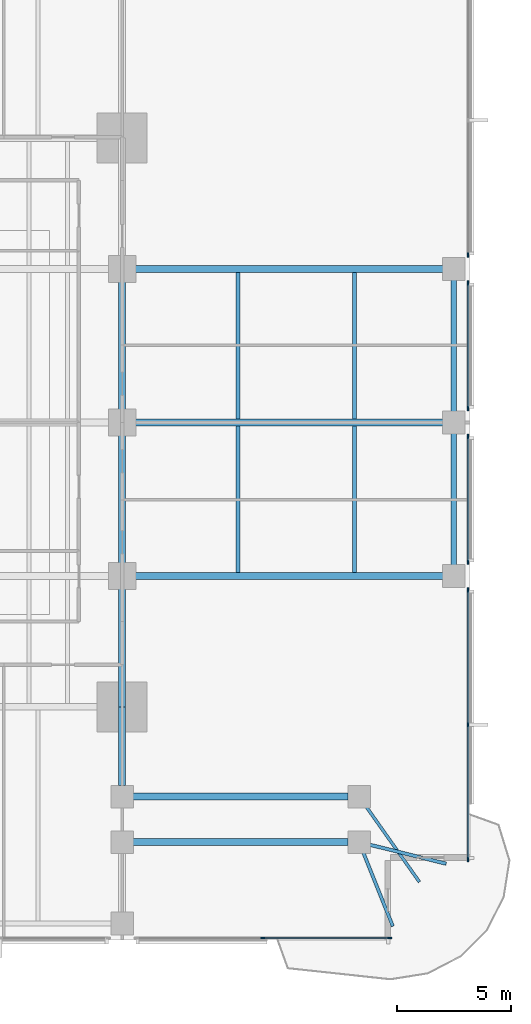
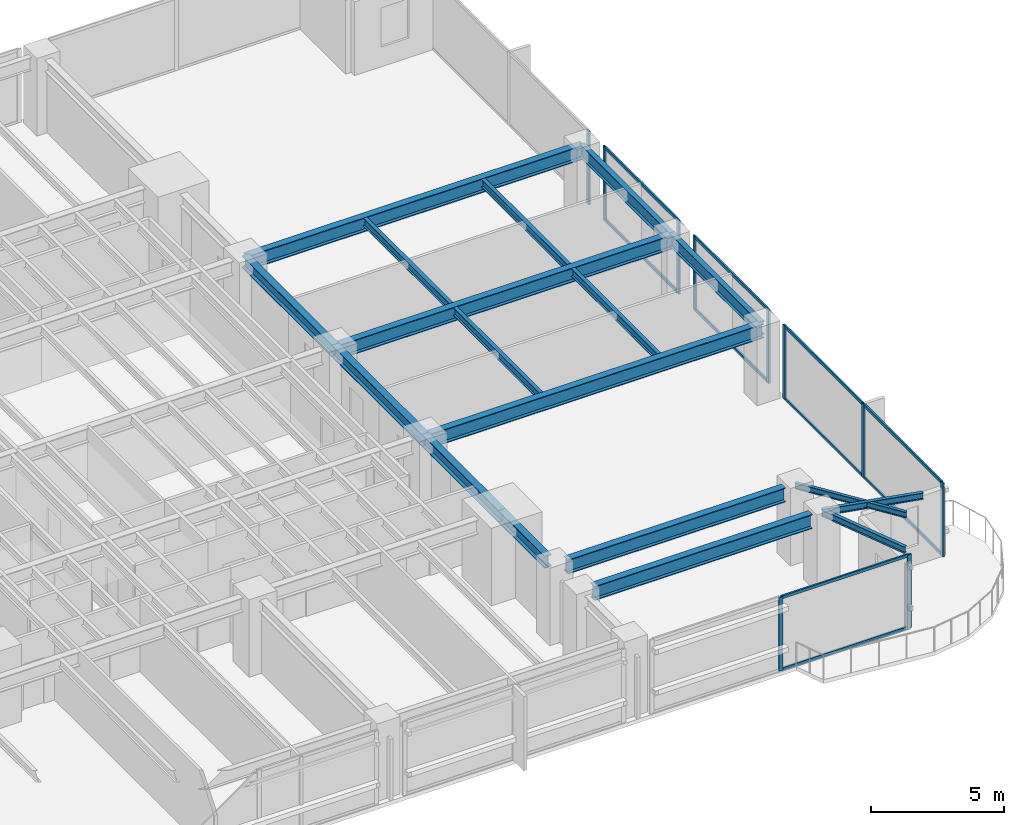
# One storey, part 4 of 15: 20 members, 18 beams, 5 elements without a shape of their own.
"""IFC4 building model written with IfcOpenShell, lengths in metres."""

from ifc_helpers import new_model, si_unit, direction, frame, origin, origin_2d, place, context, subcontext, project, spatial, rectangle, i_section, extrude, material, layer, layer_set, material_profile, profile_set, type_object, element, aggregate, save


model = new_model("IFC4")

# Units and contexts
model_context = context("Model", 3, precision=1e-05, world=origin(), true_north=direction((0.0, 1.0)))
body_context = subcontext(model_context, "Body", "Model", "MODEL_VIEW")
ifc_project = project(units=[si_unit("LENGTHUNIT", "METRE"), si_unit("AREAUNIT", "SQUARE_METRE"), si_unit("VOLUMEUNIT", "CUBIC_METRE"), si_unit("PLANEANGLEUNIT", "RADIAN"), si_unit("MASSUNIT", "GRAM", prefix="KILO")], contexts=[model_context])

# Site, building, storey
site_placement = place(None, origin())
site = spatial("IfcSite", under=ifc_project, at=site_placement, CompositionType="ELEMENT")
building_placement = place(site_placement, origin())
building = spatial("IfcBuilding", under=site, at=building_placement, Name="Kinhvarn Gate Tower", CompositionType="ELEMENT")
storey_placement = place(building_placement, frame((0.0, 0.0, 64.64990234375)))
storey = spatial("IfcBuildingStorey", under=building, at=storey_placement, Name="L16", CompositionType="ELEMENT", Elevation=64.64990234375)

# Curtain wall, members
ifc_material_1 = material(Name="Anodised aluminium AW-6063", Category="aluminium")
ifc_layer = layer(ifc_material_1, 0.179931640625)
ifc_layer_set = layer_set([ifc_layer], Name="Anodised aluminium AW-6063")
curtain_wall_type = type_object("IfcCurtainWallType", Name="CW-SYS-2", PredefinedType="NOTDEFINED", material=ifc_layer_set)
curtain_wall_1_placement = place(storey_placement, origin())
curtain_wall_1 = element("IfcCurtainWall", 1, at=curtain_wall_1_placement, inside=storey, type_object=curtain_wall_type, Name="Curtain Wall CW2 (L16)", PredefinedType="NOTDEFINED")
ifc_material_profile_1 = material_profile(ifc_material_1, rectangle(XDim=0.070068359375, YDim=0.179931640625, at=origin_2d()), Name="ALU 70x180")
ifc_profile_set_1 = profile_set([ifc_material_profile_1], Name="Anodised aluminium AW-6063")
member_type_1 = type_object("IfcMemberType", Name="CW-MUL-180", PredefinedType="MULLION", material=ifc_profile_set_1)
member_1_placement = place(storey_placement, frame((44.389892578125, 2.590087890625, 0.0), z_axis=(0.0, 0.0, 1.0), x_axis=(0.0, 1.0, 0.0)))
member_1 = element("IfcMember", 2, at=member_1_placement, type_object=member_type_1, Name="CW2 mullion 2", PredefinedType="MULLION", context=body_context, shape_type="SweptSolid", body=[
    extrude(rectangle(XDim=0.070068359375, YDim=0.179931640625, at=origin_2d()), origin(), (0.0, 0.0, 1.0), 3.3701171875),
])
member_2_placement = place(storey_placement, frame((49.965087890625, 2.590087890625, 0.0), z_axis=(0.0, 0.0, 1.0), x_axis=(0.0, 1.0, 0.0)))
member_2 = element("IfcMember", 3, at=member_2_placement, type_object=member_type_1, Name="CW2 mullion 3", PredefinedType="MULLION", context=body_context, shape_type="SweptSolid", body=[
    extrude(rectangle(XDim=0.070068359375, YDim=0.179931640625, at=origin_2d()), origin(), (0.0, 0.0, 1.0), 3.3701171875),
])

curtain_wall_2_placement = place(storey_placement, origin())
curtain_wall_2 = element("IfcCurtainWall", 4, at=curtain_wall_2_placement, inside=storey, type_object=curtain_wall_type, Name="Curtain Wall CW2 (L16)", PredefinedType="NOTDEFINED")
member_3_placement = place(storey_placement, frame((53.409912109375, 6.034912109375, 0.0), z_axis=(0.0, 0.0, 1.0), x_axis=(-1.0, 0.0, 0.0)))
member_3 = element("IfcMember", 5, at=member_3_placement, type_object=member_type_1, Name="CW2 mullion 1", PredefinedType="MULLION", context=body_context, shape_type="SweptSolid", body=[
    extrude(rectangle(XDim=0.070068359375, YDim=0.179931640625, at=origin_2d()), origin(), (0.0, 0.0, 1.0), 3.3701171875),
])
member_4_placement = place(storey_placement, frame((53.409912109375, 11.9599609375, 0.0), z_axis=(0.0, 0.0, 1.0), x_axis=(-1.0, 0.0, 0.0)))
member_4 = element("IfcMember", 6, at=member_4_placement, type_object=member_type_1, Name="CW2 mullion 2", PredefinedType="MULLION", context=body_context, shape_type="SweptSolid", body=[
    extrude(rectangle(XDim=0.070068359375, YDim=0.179931640625, at=origin_2d()), origin(), (0.0, 0.0, 1.0), 3.3701171875),
])
member_5_placement = place(storey_placement, frame((53.409912109375, 17.885009765625, 0.0), z_axis=(0.0, 0.0, 1.0), x_axis=(-1.0, 0.0, 0.0)))
member_5 = element("IfcMember", 7, at=member_5_placement, type_object=member_type_1, Name="CW2 mullion 3", PredefinedType="MULLION", context=body_context, shape_type="SweptSolid", body=[
    extrude(rectangle(XDim=0.070068359375, YDim=0.179931640625, at=origin_2d()), origin(), (0.0, 0.0, 1.0), 3.3701171875),
])

curtain_wall_3_placement = place(storey_placement, origin())
curtain_wall_3 = element("IfcCurtainWall", 8, at=curtain_wall_3_placement, inside=storey, type_object=curtain_wall_type, Name="Curtain Wall CW2 (L16)", PredefinedType="NOTDEFINED")
member_6_placement = place(storey_placement, frame((53.409912109375, 19.114990234375, 0.0), z_axis=(0.0, 0.0, 1.0), x_axis=(-1.0, 0.0, 0.0)))
member_6 = element("IfcMember", 9, at=member_6_placement, type_object=member_type_1, Name="CW2 mullion 1", PredefinedType="MULLION", context=body_context, shape_type="SweptSolid", body=[
    extrude(rectangle(XDim=0.070068359375, YDim=0.179931640625, at=origin_2d()), origin(), (0.0, 0.0, 1.0), 3.3701171875),
])
member_7_placement = place(storey_placement, frame((53.409912109375, 24.635009765625, 0.0), z_axis=(0.0, 0.0, 1.0), x_axis=(-1.0, 0.0, 0.0)))
member_7 = element("IfcMember", 10, at=member_7_placement, type_object=member_type_1, Name="CW2 mullion 2", PredefinedType="MULLION", context=body_context, shape_type="SweptSolid", body=[
    extrude(rectangle(XDim=0.070068359375, YDim=0.179931640625, at=origin_2d()), origin(), (0.0, 0.0, 1.0), 3.3701171875),
])

curtain_wall_4_placement = place(storey_placement, origin())
curtain_wall_4 = element("IfcCurtainWall", 11, at=curtain_wall_4_placement, inside=storey, type_object=curtain_wall_type, Name="Curtain Wall CW2 (L16)", PredefinedType="NOTDEFINED")
member_8_placement = place(storey_placement, frame((53.409912109375, 25.864990234375, 0.0), z_axis=(0.0, 0.0, 1.0), x_axis=(-1.0, 0.0, 0.0)))
member_8 = element("IfcMember", 12, at=member_8_placement, type_object=member_type_1, Name="CW2 mullion 1", PredefinedType="MULLION", context=body_context, shape_type="SweptSolid", body=[
    extrude(rectangle(XDim=0.070068359375, YDim=0.179931640625, at=origin_2d()), origin(), (0.0, 0.0, 1.0), 3.3701171875),
])
member_9_placement = place(storey_placement, frame((53.409912109375, 31.385009765625, 0.0), z_axis=(0.0, 0.0, 1.0), x_axis=(-1.0, 0.0, 0.0)))
member_9 = element("IfcMember", 13, at=member_9_placement, type_object=member_type_1, Name="CW2 mullion 2", PredefinedType="MULLION", context=body_context, shape_type="SweptSolid", body=[
    extrude(rectangle(XDim=0.070068359375, YDim=0.179931640625, at=origin_2d()), origin(), (0.0, 0.0, 1.0), 3.3701171875),
])

# Curtain wall, member
curtain_wall_5_placement = place(storey_placement, origin())
curtain_wall_5 = element("IfcCurtainWall", 14, at=curtain_wall_5_placement, inside=storey, type_object=curtain_wall_type, Name="Curtain Wall CW2 (L16)", PredefinedType="NOTDEFINED")
member_10_placement = place(storey_placement, frame((53.409912109375, 32.614990234375, 0.0), z_axis=(0.0, 0.0, 1.0), x_axis=(-1.0, 0.0, 0.0)))
member_10 = element("IfcMember", 15, at=member_10_placement, type_object=member_type_1, Name="CW2 mullion 1", PredefinedType="MULLION", context=body_context, shape_type="SweptSolid", body=[
    extrude(rectangle(XDim=0.070068359375, YDim=0.179931640625, at=origin_2d()), origin(), (0.0, 0.0, 1.0), 3.3701171875),
])
aggregate(curtain_wall_5, [member_10])

# Member
ifc_material_profile_2 = material_profile(ifc_material_1, rectangle(XDim=0.070068359375, YDim=0.139892578125, at=origin_2d()), Name="ALU 70x140")
ifc_profile_set_2 = profile_set([ifc_material_profile_2], Name="Anodised aluminium AW-6063")
member_type_2 = type_object("IfcMemberType", Name="CW-TRN-140", PredefinedType="USERDEFINED", material=ifc_profile_set_2)
member_11_placement = place(storey_placement, frame((44.425048828125, 2.590087890625, 0.03515625), z_axis=(1.0, 0.0, 0.0), x_axis=(0.0, 1.0, 0.0)))
member_11 = element("IfcMember", 16, at=member_11_placement, type_object=member_type_2, Name="CW2 transom 2.1", ObjectType="TRANSOM", PredefinedType="USERDEFINED", context=body_context, shape_type="SweptSolid", body=[
    extrude(rectangle(XDim=0.070068359375, YDim=0.139892578125, at=origin_2d()), origin(), (0.0, 0.0, 1.0), 5.5048828125),
])

member_12_placement = place(storey_placement, frame((44.425048828125, 2.590087890625, 3.335205078125), z_axis=(1.0, 0.0, 0.0), x_axis=(0.0, 1.0, 0.0)))
member_12 = element("IfcMember", 17, at=member_12_placement, type_object=member_type_2, Name="CW2 transom 2.2", ObjectType="TRANSOM", PredefinedType="USERDEFINED", context=body_context, shape_type="SweptSolid", body=[
    extrude(rectangle(XDim=0.070068359375, YDim=0.139892578125, at=origin_2d()), origin(), (0.0, 0.0, 1.0), 5.5048828125),
])

aggregate(curtain_wall_1, [member_1, member_2, member_11, member_12])

member_13_placement = place(storey_placement, frame((53.409912109375, 6.070068359375, 0.03515625), z_axis=(0.0, 1.0, 0.0), x_axis=(-1.0, 0.0, 0.0)))
member_13 = element("IfcMember", 18, at=member_13_placement, type_object=member_type_2, Name="CW2 transom 1.1", ObjectType="TRANSOM", PredefinedType="USERDEFINED", context=body_context, shape_type="SweptSolid", body=[
    extrude(rectangle(XDim=0.070068359375, YDim=0.139892578125, at=origin_2d()), origin(), (0.0, 0.0, 1.0), 5.85498046875),
])

member_14_placement = place(storey_placement, frame((53.409912109375, 6.070068359375, 3.335205078125), z_axis=(0.0, 1.0, 0.0), x_axis=(-1.0, 0.0, 0.0)))
member_14 = element("IfcMember", 19, at=member_14_placement, type_object=member_type_2, Name="CW2 transom 1.2", ObjectType="TRANSOM", PredefinedType="USERDEFINED", context=body_context, shape_type="SweptSolid", body=[
    extrude(rectangle(XDim=0.070068359375, YDim=0.139892578125, at=origin_2d()), origin(), (0.0, 0.0, 1.0), 5.85498046875),
])

member_15_placement = place(storey_placement, frame((53.409912109375, 11.9951171875, 0.03515625), z_axis=(0.0, 1.0, 0.0), x_axis=(-1.0, 0.0, 0.0)))
member_15 = element("IfcMember", 20, at=member_15_placement, type_object=member_type_2, Name="CW2 transom 2.1", ObjectType="TRANSOM", PredefinedType="USERDEFINED", context=body_context, shape_type="SweptSolid", body=[
    extrude(rectangle(XDim=0.070068359375, YDim=0.139892578125, at=origin_2d()), origin(), (0.0, 0.0, 1.0), 5.85498046875),
])

member_16_placement = place(storey_placement, frame((53.409912109375, 11.9951171875, 3.335205078125), z_axis=(0.0, 1.0, 0.0), x_axis=(-1.0, 0.0, 0.0)))
member_16 = element("IfcMember", 21, at=member_16_placement, type_object=member_type_2, Name="CW2 transom 2.2", ObjectType="TRANSOM", PredefinedType="USERDEFINED", context=body_context, shape_type="SweptSolid", body=[
    extrude(rectangle(XDim=0.070068359375, YDim=0.139892578125, at=origin_2d()), origin(), (0.0, 0.0, 1.0), 5.85498046875),
])

aggregate(curtain_wall_2, [member_3, member_4, member_5, member_13, member_14, member_15, member_16])

member_17_placement = place(storey_placement, frame((53.409912109375, 19.14990234375, 0.03515625), z_axis=(0.0, 1.0, 0.0), x_axis=(-1.0, 0.0, 0.0)))
member_17 = element("IfcMember", 22, at=member_17_placement, type_object=member_type_2, Name="CW2 transom 1.1", ObjectType="TRANSOM", PredefinedType="USERDEFINED", context=body_context, shape_type="SweptSolid", body=[
    extrude(rectangle(XDim=0.070068359375, YDim=0.139892578125, at=origin_2d()), origin(), (0.0, 0.0, 1.0), 5.4501953125),
])

member_18_placement = place(storey_placement, frame((53.409912109375, 19.14990234375, 3.335205078125), z_axis=(0.0, 1.0, 0.0), x_axis=(-1.0, 0.0, 0.0)))
member_18 = element("IfcMember", 23, at=member_18_placement, type_object=member_type_2, Name="CW2 transom 1.2", ObjectType="TRANSOM", PredefinedType="USERDEFINED", context=body_context, shape_type="SweptSolid", body=[
    extrude(rectangle(XDim=0.070068359375, YDim=0.139892578125, at=origin_2d()), origin(), (0.0, 0.0, 1.0), 5.4501953125),
])

aggregate(curtain_wall_3, [member_6, member_7, member_17, member_18])

member_19_placement = place(storey_placement, frame((53.409912109375, 25.89990234375, 0.03515625), z_axis=(0.0, 1.0, 0.0), x_axis=(-1.0, 0.0, 0.0)))
member_19 = element("IfcMember", 24, at=member_19_placement, type_object=member_type_2, Name="CW2 transom 1.1", ObjectType="TRANSOM", PredefinedType="USERDEFINED", context=body_context, shape_type="SweptSolid", body=[
    extrude(rectangle(XDim=0.070068359375, YDim=0.139892578125, at=origin_2d()), origin(), (0.0, 0.0, 1.0), 5.4501953125),
])

member_20_placement = place(storey_placement, frame((53.409912109375, 25.89990234375, 3.335205078125), z_axis=(0.0, 1.0, 0.0), x_axis=(-1.0, 0.0, 0.0)))
member_20 = element("IfcMember", 25, at=member_20_placement, type_object=member_type_2, Name="CW2 transom 1.2", ObjectType="TRANSOM", PredefinedType="USERDEFINED", context=body_context, shape_type="SweptSolid", body=[
    extrude(rectangle(XDim=0.070068359375, YDim=0.139892578125, at=origin_2d()), origin(), (0.0, 0.0, 1.0), 5.4501953125),
])

aggregate(curtain_wall_4, [member_8, member_9, member_19, member_20])

# Beams
ifc_material_2 = material(Name="Steel S355", Category="steel")
ifc_material_profile_3 = material_profile(ifc_material_2, i_section(OverallWidth=0.300048828125, OverallDepth=0.550048828125, WebThickness=0.014892578125, FlangeThickness=0.029052734375, at=origin_2d()), Name="HEB 550")
ifc_profile_set_3 = profile_set([ifc_material_profile_3], Name="Steel S355")
beam_type_1 = type_object("IfcBeamType", Name="STL-HEB550", PredefinedType="BEAM", material=ifc_profile_set_3)
beam_1_placement = place(storey_placement, frame((38.199951171875, 9.284912109375, 3.09521484375), z_axis=(0.0, 1.0, 0.0), x_axis=(-1.0, 0.0, 0.0)))
element("IfcBeam", 26, at=beam_1_placement, inside=storey, type_object=beam_type_1, Name="Floor Beam PG-15 (L16 MCE-S-A2)", PredefinedType="BEAM", context=body_context, shape_type="SweptSolid", body=[
    extrude(i_section(OverallWidth=0.300048828125, OverallDepth=0.550048828125, WebThickness=0.014892578125, FlangeThickness=0.029052734375, at=origin_2d()), origin(), (0.0, 0.0, 1.0), 3.465087890625),
])
beam_2_placement = place(storey_placement, frame((38.199951171875, 12.75, 3.09521484375), z_axis=(0.0, 1.0, 0.0), x_axis=(-1.0, 0.0, 0.0)))
element("IfcBeam", 27, at=beam_2_placement, inside=storey, type_object=beam_type_1, Name="Floor Beam PG-15 (L16 MG-E-12)", PredefinedType="BEAM", context=body_context, shape_type="SweptSolid", body=[
    extrude(i_section(OverallWidth=0.300048828125, OverallDepth=0.550048828125, WebThickness=0.014892578125, FlangeThickness=0.029052734375, at=origin_2d()), origin(), (0.0, 0.0, 1.0), 5.75),
])
for number, where, z_axis, x_axis, name in (
    (28, (38.199951171875, 18.5, 3.09521484375), (0.0, 1.0, 0.0), (-1.0, 0.0, 0.0), "Floor Beam PG-15 (L16 MG-E-18)"),
    (29, (38.199951171875, 25.25, 3.09521484375), (0.0, 1.0, 0.0), (-1.0, 0.0, 0.0), "Floor Beam PG-15 (L16 MG-E-25)"),
):
    element("IfcBeam", number, at=place(storey_placement, frame(where, z_axis=z_axis, x_axis=x_axis)), inside=storey, type_object=beam_type_1, Name=name, PredefinedType="BEAM", context=body_context, shape_type="SweptSolid", body=[
        extrude(i_section(OverallWidth=0.300048828125, OverallDepth=0.550048828125, WebThickness=0.014892578125, FlangeThickness=0.029052734375, at=origin_2d()), origin(), (0.0, 0.0, 1.0), 6.75),
    ])
ifc_material_profile_4 = material_profile(ifc_material_2, i_section(OverallWidth=0.300048828125, OverallDepth=0.64990234375, WebThickness=0.01611328125, FlangeThickness=0.031005859375, at=origin_2d()), Name="HEB 650")
ifc_profile_set_4 = profile_set([ifc_material_profile_4], Name="Steel S355")
beam_type_2 = type_object("IfcBeamType", Name="STL-HEB650", PredefinedType="BEAM", material=ifc_profile_set_4)
for number, where, z_axis, x_axis, name in (
    (30, (38.68505859375, 8.800048828125, 3.045166015625), (1.0, 0.0, 0.0), (0.0, 1.0, 0.0), "Floor Beam PG-17 (L16 SP-SE1B)"),
    (31, (38.68505859375, 6.800048828125, 3.045166015625), (1.0, 0.0, 0.0), (0.0, 1.0, 0.0), "Floor Beam PG-17 (L16 SP-SE1A)"),
):
    element("IfcBeam", number, at=place(storey_placement, frame(where, z_axis=z_axis, x_axis=x_axis)), inside=storey, type_object=beam_type_2, Name=name, PredefinedType="BEAM", context=body_context, shape_type="SweptSolid", body=[
        extrude(i_section(OverallWidth=0.300048828125, OverallDepth=0.64990234375, WebThickness=0.01611328125, FlangeThickness=0.031005859375, at=origin_2d()), origin(), (0.0, 0.0, 1.0), 9.449951171875),
    ])
for number, where, z_axis, x_axis, name in (
    (32, (38.199951171875, 18.5, 3.045166015625), (1.0, 0.0, 0.0), (0.0, 1.0, 0.0), "Floor Beam PG-17 (L16 EW2-Y18)"),
    (33, (38.199951171875, 25.25, 3.045166015625), (1.0, 0.0, 0.0), (0.0, 1.0, 0.0), "Floor Beam PG-17 (L16 EW2-Y25)"),
    (34, (38.199951171875, 32.0, 3.045166015625), (1.0, 0.0, 0.0), (0.0, 1.0, 0.0), "Floor Beam PG-17 (L16 EW2-Y32)"),
):
    element("IfcBeam", number, at=place(storey_placement, frame(where, z_axis=z_axis, x_axis=x_axis)), inside=storey, type_object=beam_type_2, Name=name, PredefinedType="BEAM", context=body_context, shape_type="SweptSolid", body=[
        extrude(i_section(OverallWidth=0.300048828125, OverallDepth=0.64990234375, WebThickness=0.01611328125, FlangeThickness=0.031005859375, at=origin_2d()), origin(), (0.0, 0.0, 1.0), 14.580078125),
    ])
ifc_material_profile_5 = material_profile(ifc_material_2, i_section(OverallWidth=0.135009765625, OverallDepth=0.27001953125, WebThickness=0.006591796875, FlangeThickness=0.01025390625, at=origin_2d()), Name="IPE 270")
ifc_profile_set_5 = profile_set([ifc_material_profile_5], Name="Steel S355")
beam_type_3 = type_object("IfcBeamType", Name="STL-IPE270", PredefinedType="JOIST", material=ifc_profile_set_5)
beam_3_placement = place(storey_placement, frame((48.6201171875, 8.800048828125, 3.235107421875), z_axis=(0.57709644225, -0.81667600451, 0.0), x_axis=(0.81667600451, 0.57709644225, 0.0)))
element("IfcBeam", 35, at=beam_3_placement, inside=storey, type_object=beam_type_3, Name="Floor Joist SB-01 (L16 BAL-B3-L17)", PredefinedType="JOIST", context=body_context, shape_type="SweptSolid", body=[
    extrude(i_section(OverallWidth=0.135009765625, OverallDepth=0.27001953125, WebThickness=0.006591796875, FlangeThickness=0.01025390625, at=origin_2d()), origin(), (0.0, 0.0, 1.0), 4.591796875),
])
ifc_material_profile_6 = material_profile(ifc_material_2, i_section(OverallWidth=0.14990234375, OverallDepth=0.300048828125, WebThickness=0.007080078125, FlangeThickness=0.0107421875, at=origin_2d()), Name="IPE 300")
ifc_profile_set_6 = profile_set([ifc_material_profile_6], Name="Steel S355")
beam_type_4 = type_object("IfcBeamType", Name="STL-IPE300", PredefinedType="JOIST", material=ifc_profile_set_6)
beam_4_placement = place(storey_placement, frame((48.6201171875, 6.800048828125, 3.22021484375), z_axis=(0.97058851083, -0.240744558911, 0.0), x_axis=(0.240744558911, 0.97058851083, 0.0)))
element("IfcBeam", 36, at=beam_4_placement, inside=storey, type_object=beam_type_4, Name="Floor Joist SB-02 (L16 BAL-B1-L17)", PredefinedType="JOIST", context=body_context, shape_type="SweptSolid", body=[
    extrude(i_section(OverallWidth=0.14990234375, OverallDepth=0.300048828125, WebThickness=0.007080078125, FlangeThickness=0.0107421875, at=origin_2d()), origin(), (0.0, 0.0, 1.0), 3.94580078125),
])
beam_5_placement = place(storey_placement, frame((48.6201171875, 6.800048828125, 3.22021484375), z_axis=(0.371390676354, -0.928476690885, 0.0), x_axis=(0.928476690885, 0.371390676354, 0.0)))
element("IfcBeam", 37, at=beam_5_placement, inside=storey, type_object=beam_type_4, Name="Floor Joist SB-02 (L16 BAL-B2-L17)", PredefinedType="JOIST", context=body_context, shape_type="SweptSolid", body=[
    extrude(i_section(OverallWidth=0.14990234375, OverallDepth=0.300048828125, WebThickness=0.007080078125, FlangeThickness=0.0107421875, at=origin_2d()), origin(), (0.0, 0.0, 1.0), 3.98486328125),
])
ifc_material_profile_7 = material_profile(ifc_material_2, i_section(OverallWidth=0.169921875, OverallDepth=0.360107421875, WebThickness=0.008056640625, FlangeThickness=0.0126953125, at=origin_2d()), Name="IPE 360")
ifc_profile_set_7 = profile_set([ifc_material_profile_7], Name="Steel S355")
beam_type_5 = type_object("IfcBeamType", Name="STL-IPE360", PredefinedType="JOIST", material=ifc_profile_set_7)
for number, where, z_axis, x_axis, name in (
    (38, (43.300048828125, 18.64990234375, 3.190185546875), (0.0, 1.0, 0.0), (-1.0, 0.0, 0.0), "Floor Joist SB-04 (L16 JC-X433-1)"),
    (39, (43.300048828125, 25.39990234375, 3.190185546875), (0.0, 1.0, 0.0), (-1.0, 0.0, 0.0), "Floor Joist SB-04 (L16 JC-X433-2)"),
    (40, (48.409912109375, 18.64990234375, 3.190185546875), (0.0, 1.0, 0.0), (-1.0, 0.0, 0.0), "Floor Joist SB-04 (L16 JC-X484-1)"),
    (41, (48.409912109375, 25.39990234375, 3.190185546875), (0.0, 1.0, 0.0), (-1.0, 0.0, 0.0), "Floor Joist SB-04 (L16 JC-X484-2)"),
):
    element("IfcBeam", number, at=place(storey_placement, frame(where, z_axis=z_axis, x_axis=x_axis)), inside=storey, type_object=beam_type_5, Name=name, PredefinedType="JOIST", context=body_context, shape_type="SweptSolid", body=[
        extrude(i_section(OverallWidth=0.169921875, OverallDepth=0.360107421875, WebThickness=0.008056640625, FlangeThickness=0.0126953125, at=origin_2d()), origin(), (0.0, 0.0, 1.0), 6.4501953125),
    ])
ifc_material_profile_8 = material_profile(ifc_material_2, i_section(OverallWidth=0.219970703125, OverallDepth=0.60009765625, WebThickness=0.011962890625, FlangeThickness=0.01904296875, at=origin_2d()), Name="IPE 600")
ifc_profile_set_8 = profile_set([ifc_material_profile_8], Name="Steel S355")
beam_type_6 = type_object("IfcBeamType", Name="STL-IPE600", PredefinedType="SPANDREL", material=ifc_profile_set_8)
for number, where, z_axis, x_axis, name in (
    (42, (52.780029296875, 18.5, 3.070068359375), (0.0, 1.0, 0.0), (-1.0, 0.0, 0.0), "Floor Spandrel SB-09 (L16 SP-E2)"),
    (43, (52.780029296875, 25.25, 3.070068359375), (0.0, 1.0, 0.0), (-1.0, 0.0, 0.0), "Floor Spandrel SB-09 (L16 SP-E3)"),
):
    element("IfcBeam", number, at=place(storey_placement, frame(where, z_axis=z_axis, x_axis=x_axis)), inside=storey, type_object=beam_type_6, Name=name, PredefinedType="SPANDREL", context=body_context, shape_type="SweptSolid", body=[
        extrude(i_section(OverallWidth=0.219970703125, OverallDepth=0.60009765625, WebThickness=0.011962890625, FlangeThickness=0.01904296875, at=origin_2d()), origin(), (0.0, 0.0, 1.0), 6.75),
    ])

save(model, "model.ifc")
